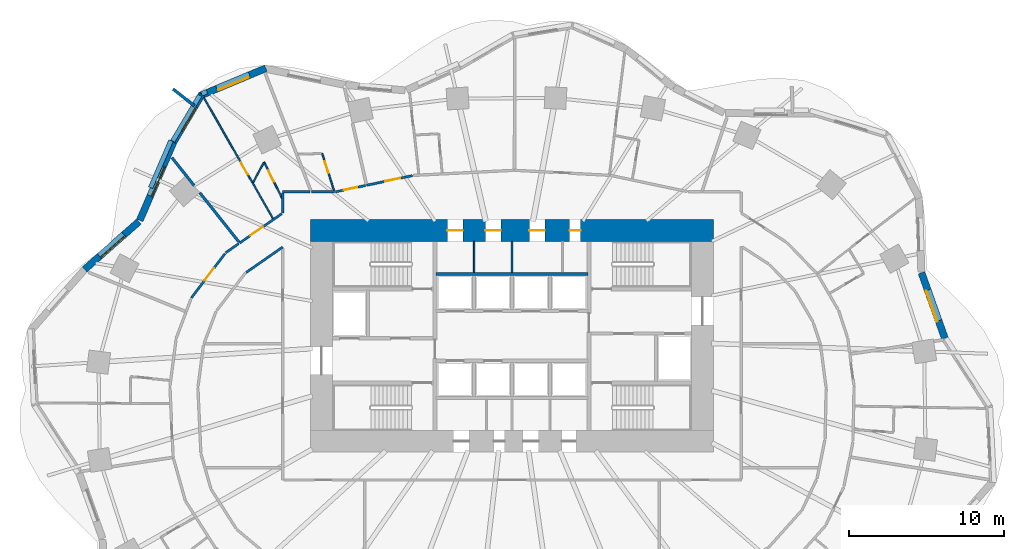
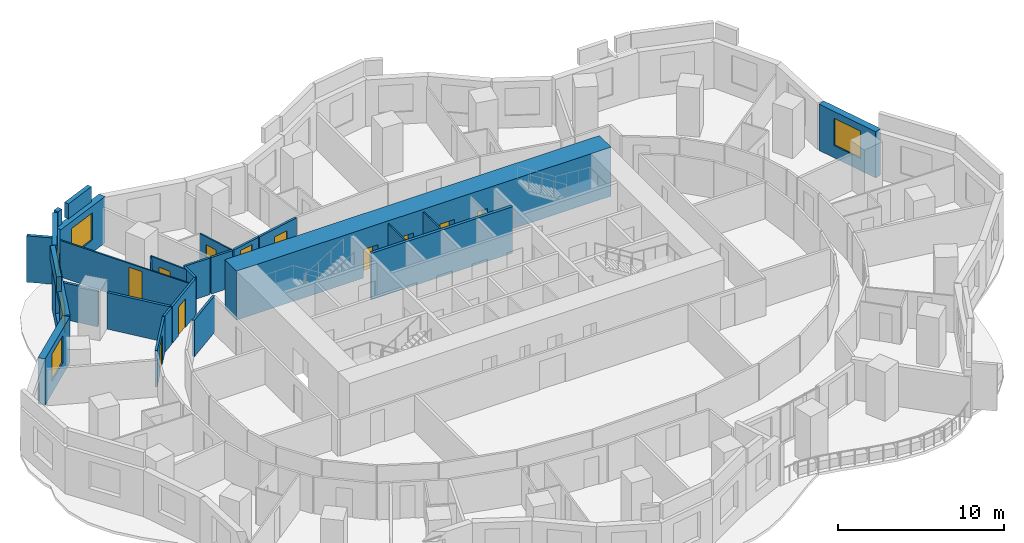
# One storey, part 9 of 14: 29 walls, 11 doors, 5 windows, 16 openings.
"""IFC4 building model written with IfcOpenShell, lengths in metres."""

from ifc_helpers import new_model, si_unit, direction, frame, frame_2d, origin, place, context, subcontext, project, spatial, rectangle, extrude, material, layer, layer_set, type_object, element, fill, save


model = new_model("IFC4")

# Units and contexts
model_context = context("Model", 3, precision=1e-05, world=origin(), true_north=direction((0.0, 1.0)))
body_context = subcontext(model_context, "Body", "Model", "MODEL_VIEW")
ifc_project = project(units=[si_unit("LENGTHUNIT", "METRE"), si_unit("AREAUNIT", "SQUARE_METRE"), si_unit("VOLUMEUNIT", "CUBIC_METRE"), si_unit("PLANEANGLEUNIT", "RADIAN"), si_unit("MASSUNIT", "GRAM", prefix="KILO")], contexts=[model_context])

# Site, building, storey
site_placement = place(None, origin())
site = spatial("IfcSite", under=ifc_project, at=site_placement, CompositionType="ELEMENT")
building_placement = place(site_placement, origin())
building = spatial("IfcBuilding", under=site, at=building_placement, Name="Rubra Terraces Tower", CompositionType="ELEMENT")
storey_placement = place(building_placement, frame((0.0, 0.0, 44.699951171875)))
storey = spatial("IfcBuildingStorey", under=building, at=storey_placement, Name="L08", CompositionType="ELEMENT", Elevation=44.699951171875)

# Walls
ifc_material_1 = material(Name="Twin plasterboard on staggered steel stud, acoustic mineral wool", Category="steel")
ifc_layer_1 = layer(ifc_material_1, 0.175048828125)
ifc_layer_set_1 = layer_set([ifc_layer_1], Name="Twin plasterboard on staggered steel stud, acoustic mineral wool")
wall_type_1 = type_object("IfcWallType", Name="ACOUSTIC PARTY WALL 175", PredefinedType="PARTITIONING", material=ifc_layer_set_1)
wall_1_placement = place(storey_placement, frame((-21.946044921875, 16.0068359375, 0.0), z_axis=(0.0, 0.0, 1.0), x_axis=(0.621870662711, -0.783119964539, 0.0)))
element("IfcWall", 1, at=wall_1_placement, inside=storey, type_object=wall_type_1, Name="PARTITION", PredefinedType="PARTITIONING", context=body_context, shape_type="SweptSolid", body=[
    extrude(rectangle(XDim=2.30126953125, YDim=0.175048828125, at=frame_2d((1.150634765625, 0.0))), origin(), (0.0, 0.0, 1.0), 2.679931640625),
])
wall_2_placement = place(storey_placement, frame((-20.145751953125, 13.739501953125, 0.0), z_axis=(0.0, 0.0, 1.0), x_axis=(0.621832273855, -0.783150447355, 0.0)))
element("IfcWall", 2, at=wall_2_placement, inside=storey, type_object=wall_type_1, Name="PARTITION", PredefinedType="PARTITIONING", context=body_context, shape_type="SweptSolid", body=[
    extrude(rectangle(XDim=4.06201171875, YDim=0.175048828125, at=frame_2d((2.031005859375, 0.0))), origin(), (0.0, 0.0, 1.0), 2.679931640625),
])

# Wall, opening, window
ifc_material_2 = material(Name="Brick masonry red-brown", Category="masonry")
ifc_layer_2 = layer(ifc_material_2, 0.449951171875)
ifc_layer_set_2 = layer_set([ifc_layer_2], Name="Brick masonry red-brown")
wall_type_2 = type_object("IfcWallType", Name="Brick facade wall 450", PredefinedType="SOLIDWALL", material=ifc_layer_set_2)
wall_3_placement = place(storey_placement, frame((27.9326171875, 4.35595703125, 0.0), z_axis=(0.0, 0.0, 1.0), x_axis=(-0.335746005454, 0.941952557097, 0.0)))
wall_3 = element("IfcWall", 3, at=wall_3_placement, inside=storey, type_object=wall_type_2, Name="Facade wall L08 bay 2", PredefinedType="SOLIDWALL", context=body_context, shape_type="SweptSolid", body=[
    extrude(rectangle(XDim=4.47998046875, YDim=0.449951171875, at=frame_2d((2.239990234375, 0.0))), origin(), (0.0, 0.0, 1.0), 3.400146484375),
])
opening_1_placement = place(wall_3_placement, frame((1.18994140625, 0.0, 0.89990234375)))
opening_1 = element("IfcOpeningElement", 4, at=opening_1_placement, cuts=wall_3, Name="Opening W1", PredefinedType="OPENING", context=body_context, shape_type="SweptSolid", body=[
    extrude(rectangle(XDim=2.10009765625, YDim=2.0, at=frame_2d((1.050048828125, 1.0))), frame((0.0, 0.23486328125, 0.0), z_axis=(0.0, -1.0, 0.0), x_axis=(1.0, 0.0, 0.0)), (0.0, 0.0, 1.0), 0.469970703125),
])
ifc_material_3 = material(Name="Clear glass in aluminium frame", Category="aluminium")
window_type_1 = type_object("IfcWindowType", Name="Fixed deep-set window 2100 x 2000", PartitioningType="SINGLE_PANEL", PredefinedType="WINDOW", material=ifc_material_3)
window_1_placement = place(opening_1_placement, origin())
window_1 = element("IfcWindow", 5, at=window_1_placement, inside=storey, type_object=window_type_1, Name="Window L08 bay 2", OverallHeight=2.0, OverallWidth=2.10009765625, PartitioningType="SINGLE_PANEL", PredefinedType="WINDOW", context=body_context, shape_type="SweptSolid", body=[
    extrude(rectangle(XDim=2.10009765625, YDim=2.0, at=frame_2d((1.050048828125, 1.0))), frame((0.0, 0.135009765625, 0.0), z_axis=(0.0, -1.0, 0.0), x_axis=(1.0, 0.0, 0.0)), (0.0, 0.0, 1.0), 0.06005859375),
])
fill(opening_1, window_1)

wall_4_placement = place(storey_placement, frame((-15.88623046875, 21.7763671875, 0.0), z_axis=(0.0, 0.0, 1.0), x_axis=(-0.922527247898, -0.385931958882, 0.0)))
wall_4 = element("IfcWall", 6, at=wall_4_placement, inside=storey, type_object=wall_type_2, Name="Facade wall L08 bay 15", PredefinedType="SOLIDWALL", context=body_context, shape_type="SweptSolid", body=[
    extrude(rectangle(XDim=4.593994140625, YDim=0.449951171875, at=frame_2d((2.296875, 0.0))), origin(), (0.0, 0.0, 1.0), 3.400146484375),
])
opening_2_placement = place(wall_4_placement, frame((1.2470703125, 0.0, 0.89990234375)))
opening_2 = element("IfcOpeningElement", 7, at=opening_2_placement, cuts=wall_4, Name="Opening W1", PredefinedType="OPENING", context=body_context, shape_type="SweptSolid", body=[
    extrude(rectangle(XDim=2.10009765625, YDim=2.0, at=frame_2d((1.050048828125, 1.0))), frame((0.0, 0.23486328125, 0.0), z_axis=(0.0, -1.0, 0.0), x_axis=(1.0, 0.0, 0.0)), (0.0, 0.0, 1.0), 0.469970703125),
])
window_2_placement = place(opening_2_placement, origin())
window_2 = element("IfcWindow", 8, at=window_2_placement, inside=storey, type_object=window_type_1, Name="Window L08 bay 15", OverallHeight=2.0, OverallWidth=2.10009765625, PartitioningType="SINGLE_PANEL", PredefinedType="WINDOW", context=body_context, shape_type="SweptSolid", body=[
    extrude(rectangle(XDim=2.10009765625, YDim=2.0, at=frame_2d((1.050048828125, 1.0))), frame((0.0, 0.135009765625, 0.0), z_axis=(0.0, -1.0, 0.0), x_axis=(1.0, 0.0, 0.0)), (0.0, 0.0, 1.0), 0.06005859375),
])
fill(opening_2, window_2)

wall_5_placement = place(storey_placement, frame((-20.017333984375, 20.09619140625, 0.0), z_axis=(0.0, 0.0, 1.0), x_axis=(-0.509718522454, -0.860341227576, 0.0)))
wall_5 = element("IfcWall", 9, at=wall_5_placement, inside=storey, type_object=wall_type_2, Name="Facade wall L08 bay 16", PredefinedType="SOLIDWALL", context=body_context, shape_type="SweptSolid", body=[
    extrude(rectangle(XDim=3.5908203125, YDim=0.449951171875, at=frame_2d((1.79541015625, 0.0))), origin(), (0.0, 0.0, 1.0), 3.400146484375),
])
opening_3_placement = place(wall_5_placement, frame((0.8955078125, 0.0, 0.89990234375)))
opening_3 = element("IfcOpeningElement", 10, at=opening_3_placement, cuts=wall_5, Name="Opening W6", PredefinedType="OPENING", context=body_context, shape_type="SweptSolid", body=[
    extrude(rectangle(XDim=1.800048828125, YDim=2.0, at=frame_2d((0.89990234375, 1.0))), frame((0.0, 0.23486328125, 0.0), z_axis=(0.0, -1.0, 0.0), x_axis=(1.0, 0.0, 0.0)), (0.0, 0.0, 1.0), 0.469970703125),
])
window_type_2 = type_object("IfcWindowType", Name="Fixed deep-set window at wind fin 1800 x 2000", PartitioningType="SINGLE_PANEL", PredefinedType="WINDOW", material=ifc_material_3)
window_3_placement = place(opening_3_placement, origin())
window_3 = element("IfcWindow", 11, at=window_3_placement, inside=storey, type_object=window_type_2, Name="Window L08 bay 16", OverallHeight=2.0, OverallWidth=1.800048828125, PartitioningType="SINGLE_PANEL", PredefinedType="WINDOW", context=body_context, shape_type="SweptSolid", body=[
    extrude(rectangle(XDim=1.800048828125, YDim=2.0, at=frame_2d((0.89990234375, 1.0))), frame((0.0, 0.135009765625, 0.0), z_axis=(0.0, -1.0, 0.0), x_axis=(1.0, 0.0, 0.0)), (0.0, 0.0, 1.0), 0.06005859375),
])
fill(opening_3, window_3)

wall_6_placement = place(storey_placement, frame((-21.834716796875, 17.032470703125, 0.0), z_axis=(0.0, 0.0, 1.0), x_axis=(-0.396103523022, -0.918205858753, 0.0)))
wall_6 = element("IfcWall", 12, at=wall_6_placement, inside=storey, type_object=wall_type_2, Name="Facade wall L08 bay 17", PredefinedType="SOLIDWALL", context=body_context, shape_type="SweptSolid", body=[
    extrude(rectangle(XDim=5.528076171875, YDim=0.449951171875, at=frame_2d((2.76416015625, 0.0))), origin(), (0.0, 0.0, 1.0), 3.400146484375),
])
opening_4_placement = place(wall_6_placement, frame((1.714111328125, 0.0, 0.89990234375)))
opening_4 = element("IfcOpeningElement", 13, at=opening_4_placement, cuts=wall_6, Name="Opening W1", PredefinedType="OPENING", context=body_context, shape_type="SweptSolid", body=[
    extrude(rectangle(XDim=2.10009765625, YDim=2.0, at=frame_2d((1.050048828125, 1.0))), frame((0.0, 0.23486328125, 0.0), z_axis=(0.0, -1.0, 0.0), x_axis=(1.0, 0.0, 0.0)), (0.0, 0.0, 1.0), 0.469970703125),
])
window_4_placement = place(opening_4_placement, origin())
window_4 = element("IfcWindow", 14, at=window_4_placement, inside=storey, type_object=window_type_1, Name="Window L08 bay 17", OverallHeight=2.0, OverallWidth=2.10009765625, PartitioningType="SINGLE_PANEL", PredefinedType="WINDOW", context=body_context, shape_type="SweptSolid", body=[
    extrude(rectangle(XDim=2.10009765625, YDim=2.0, at=frame_2d((1.050048828125, 1.0))), frame((0.0, 0.135009765625, 0.0), z_axis=(0.0, -1.0, 0.0), x_axis=(1.0, 0.0, 0.0)), (0.0, 0.0, 1.0), 0.06005859375),
])
fill(opening_4, window_4)

wall_7_placement = place(storey_placement, frame((-24.078369140625, 11.88037109375, 0.0), z_axis=(0.0, 0.0, 1.0), x_axis=(-0.749778352475, -0.661689067583, 0.0)))
wall_7 = element("IfcWall", 15, at=wall_7_placement, inside=storey, type_object=wall_type_2, Name="Facade wall L08 bay 18", PredefinedType="SOLIDWALL", context=body_context, shape_type="SweptSolid", body=[
    extrude(rectangle(XDim=4.669921875, YDim=0.449951171875, at=frame_2d((2.3349609375, 0.0))), origin(), (0.0, 0.0, 1.0), 3.400146484375),
])
opening_5_placement = place(wall_7_placement, frame((1.284912109375, 0.0, 0.89990234375)))
opening_5 = element("IfcOpeningElement", 16, at=opening_5_placement, cuts=wall_7, Name="Opening W1", PredefinedType="OPENING", context=body_context, shape_type="SweptSolid", body=[
    extrude(rectangle(XDim=2.10009765625, YDim=2.0, at=frame_2d((1.050048828125, 1.0))), frame((0.0, 0.23486328125, 0.0), z_axis=(0.0, -1.0, 0.0), x_axis=(1.0, 0.0, 0.0)), (0.0, 0.0, 1.0), 0.469970703125),
])
window_5_placement = place(opening_5_placement, origin())
window_5 = element("IfcWindow", 17, at=window_5_placement, inside=storey, type_object=window_type_1, Name="Window L08 bay 18", OverallHeight=2.0, OverallWidth=2.10009765625, PartitioningType="SINGLE_PANEL", PredefinedType="WINDOW", context=body_context, shape_type="SweptSolid", body=[
    extrude(rectangle(XDim=2.10009765625, YDim=2.0, at=frame_2d((1.050048828125, 1.0))), frame((0.0, 0.135009765625, 0.0), z_axis=(0.0, -1.0, 0.0), x_axis=(1.0, 0.0, 0.0)), (0.0, 0.0, 1.0), 0.06005859375),
])
fill(opening_5, window_5)

# Walls
ifc_layer_3 = layer(ifc_material_2, 0.300048828125)
ifc_layer_set_3 = layer_set([ifc_layer_3], Name="Brick masonry red-brown")
wall_type_3 = type_object("IfcWallType", Name="Brick parapet 300", PredefinedType="PARAPET", material=ifc_layer_set_3)
wall_8_placement = place(storey_placement, frame((-16.96240234375, 21.407470703125, 3.60009765625), z_axis=(0.0, 0.0, 1.0), x_axis=(-0.922533659014, -0.385916633467, 0.0)))
element("IfcWall", 18, at=wall_8_placement, inside=storey, type_object=wall_type_3, Name="Parapet L08 bay 15", PredefinedType="PARAPET", context=body_context, shape_type="SweptSolid", body=[
    extrude(rectangle(XDim=2.290771484375, YDim=0.300048828125, at=frame_2d((1.1455078125, 0.0))), origin(), (0.0, 0.0, 1.0), 1.099853515625),
])
wall_9_placement = place(storey_placement, frame((-19.6884765625, 20.26708984375, 3.60009765625), z_axis=(0.0, 0.0, 1.0), x_axis=(-0.922419372029, -0.386189722943, 0.0)))
element("IfcWall", 19, at=wall_9_placement, inside=storey, type_object=wall_type_3, Name="Parapet L08 bay 15.2", PredefinedType="PARAPET", context=body_context, shape_type="SweptSolid", body=[
    extrude(rectangle(XDim=0.374267578125, YDim=0.300048828125, at=frame_2d((0.18701171875, 0.0))), origin(), (0.0, 0.0, 1.0), 1.099853515625),
])
wall_10_placement = place(storey_placement, frame((-20.14794921875, 20.023193359375, 3.60009765625), z_axis=(0.0, 0.0, 1.0), x_axis=(-0.509657876052, -0.860377155309, 0.0)))
element("IfcWall", 20, at=wall_10_placement, inside=storey, type_object=wall_type_3, Name="Parapet L08 bay 16", PredefinedType="PARAPET", context=body_context, shape_type="SweptSolid", body=[
    extrude(rectangle(XDim=3.427001953125, YDim=0.300048828125, at=frame_2d((1.71337890625, 0.0))), origin(), (0.0, 0.0, 1.0), 1.099853515625),
])
wall_11_placement = place(storey_placement, frame((-22.008544921875, 17.107421875, 3.60009765625), z_axis=(0.0, 0.0, 1.0), x_axis=(-0.396142292889, -0.918189132905, 0.0)))
element("IfcWall", 21, at=wall_11_placement, inside=storey, type_object=wall_type_3, Name="Parapet L08 bay 17", PredefinedType="PARAPET", context=body_context, shape_type="SweptSolid", body=[
    extrude(rectangle(XDim=3.31201171875, YDim=0.300048828125, at=frame_2d((1.656005859375, 0.0))), origin(), (0.0, 0.0, 1.0), 1.099853515625),
])
ifc_layer_4 = layer(ifc_material_2, 0.199951171875)
ifc_layer_set_4 = layer_set([ifc_layer_4], Name="Brick masonry red-brown")
wall_type_4 = type_object("IfcWallType", Name="Brick wind fin 200", PredefinedType="SOLIDWALL", material=ifc_layer_set_4)
wall_12_placement = place(storey_placement, frame((-20.5, 19.35498046875, 0.0), z_axis=(0.0, 0.0, 1.0), x_axis=(-0.786700632228, 0.617334686577, 0.0)))
element("IfcWall", 22, at=wall_12_placement, inside=storey, type_object=wall_type_4, Name="Wind fin L08 10", PredefinedType="SOLIDWALL", context=body_context, shape_type="SweptSolid", body=[
    extrude(rectangle(XDim=1.75, YDim=0.199951171875, at=frame_2d((0.875, 0.0))), origin(), (0.0, 0.0, 1.0), 3.400146484375),
])

# Wall, openings, doors
ifc_material_4 = material(Name="Concrete C70", Category="concrete")
ifc_layer_5 = layer(ifc_material_4, 1.39990234375)
ifc_layer_set_5 = layer_set([ifc_layer_5], Name="Concrete C70")
wall_type_5 = type_object("IfcWallType", Name="CORE WALL 1400 C70", PredefinedType="SHEAR", material=ifc_layer_set_5)
wall_13_placement = place(storey_placement, frame((-13.0, 11.300048828125, 0.0), z_axis=(0.0, 0.0, 1.0), x_axis=(1.0, 0.0, 0.0)))
wall_13 = element("IfcWall", 23, at=wall_13_placement, inside=storey, type_object=wall_type_5, Name="CORE WALL N L08", PredefinedType="SHEAR", context=body_context, shape_type="SweptSolid", body=[
    extrude(rectangle(XDim=26.0, YDim=1.39990234375, at=frame_2d((13.0, 0.0))), origin(), (0.0, 0.0, 1.0), 3.60009765625),
])
opening_6_placement = place(wall_13_placement, frame((8.824951171875, 0.0, 0.0)))
opening_6 = element("IfcOpeningElement", 24, at=opening_6_placement, cuts=wall_13, Name="Opening L08.C23", PredefinedType="OPENING", context=body_context, shape_type="SweptSolid", body=[
    extrude(rectangle(XDim=1.0, YDim=2.10009765625, at=frame_2d((0.5, 1.050048828125))), frame((0.0, 0.7099609375, 0.0), z_axis=(0.0, -1.0, 0.0), x_axis=(1.0, 0.0, 0.0)), (0.0, 0.0, 1.0), 1.419921875),
])
opening_7_placement = place(wall_13_placement, frame((11.27490234375, 0.0, 0.0)))
opening_7 = element("IfcOpeningElement", 25, at=opening_7_placement, cuts=wall_13, Name="Opening L08.C24", PredefinedType="OPENING", context=body_context, shape_type="SweptSolid", body=[
    extrude(rectangle(XDim=1.0, YDim=2.10009765625, at=frame_2d((0.5, 1.050048828125))), frame((0.0, 0.7099609375, 0.0), z_axis=(0.0, -1.0, 0.0), x_axis=(1.0, 0.0, 0.0)), (0.0, 0.0, 1.0), 1.419921875),
])
opening_8_placement = place(wall_13_placement, frame((14.125, 0.0, 0.0)))
opening_8 = element("IfcOpeningElement", 26, at=opening_8_placement, cuts=wall_13, Name="Opening L08.C25", PredefinedType="OPENING", context=body_context, shape_type="SweptSolid", body=[
    extrude(rectangle(XDim=1.0, YDim=2.10009765625, at=frame_2d((0.5, 1.050048828125))), frame((0.0, 0.7099609375, 0.0), z_axis=(0.0, -1.0, 0.0), x_axis=(1.0, 0.0, 0.0)), (0.0, 0.0, 1.0), 1.419921875),
])
opening_9_placement = place(wall_13_placement, frame((16.72509765625, 0.0, 0.0)))
opening_9 = element("IfcOpeningElement", 27, at=opening_9_placement, cuts=wall_13, Name="Opening L08.C26", PredefinedType="OPENING", context=body_context, shape_type="SweptSolid", body=[
    extrude(rectangle(XDim=0.699951171875, YDim=2.10009765625, at=frame_2d((0.35009765625, 1.050048828125))), frame((0.0, 0.7099609375, 0.0), z_axis=(0.0, -1.0, 0.0), x_axis=(1.0, 0.0, 0.0)), (0.0, 0.0, 1.0), 1.419921875),
])
ifc_material_5 = material(Name="Painted steel", Category="steel")
door_type_1 = type_object("IfcDoorType", Name="Fire door 1000x2100 single", OperationType="NOTDEFINED", PredefinedType="DOOR", material=ifc_material_5)
door_1_placement = place(opening_6_placement, origin())
door_1 = element("IfcDoor", 28, at=door_1_placement, inside=storey, type_object=door_type_1, Name="Accessible WC door", OperationType="SINGLE_SWING_LEFT", OverallHeight=2.10009765625, OverallWidth=1.0, PredefinedType="DOOR", context=body_context, shape_type="SweptSolid", body=[
    extrude(rectangle(XDim=1.0, YDim=2.10009765625, at=frame_2d((0.5, 1.050048828125))), frame((0.0, 0.02490234375, 0.0), z_axis=(0.0, -1.0, 0.0), x_axis=(1.0, 0.0, 0.0)), (0.0, 0.0, 1.0), 0.050048828125),
])
fill(opening_6, door_1)
door_2_placement = place(opening_7_placement, origin())
door_2 = element("IfcDoor", 29, at=door_2_placement, inside=storey, type_object=door_type_1, Name="Linen store door", OperationType="SINGLE_SWING_RIGHT", OverallHeight=2.10009765625, OverallWidth=1.0, PredefinedType="DOOR", context=body_context, shape_type="SweptSolid", body=[
    extrude(rectangle(XDim=1.0, YDim=2.10009765625, at=frame_2d((0.5, 1.050048828125))), frame((0.0, 0.02490234375, 0.0), z_axis=(0.0, -1.0, 0.0), x_axis=(1.0, 0.0, 0.0)), (0.0, 0.0, 1.0), 0.050048828125),
])
fill(opening_7, door_2)
door_3_placement = place(opening_8_placement, origin())
door_3 = element("IfcDoor", 30, at=door_3_placement, inside=storey, type_object=door_type_1, Name="Guest pantry door", OperationType="SINGLE_SWING_LEFT", OverallHeight=2.10009765625, OverallWidth=1.0, PredefinedType="DOOR", context=body_context, shape_type="SweptSolid", body=[
    extrude(rectangle(XDim=1.0, YDim=2.10009765625, at=frame_2d((0.5, 1.050048828125))), frame((0.0, 0.02490234375, 0.0), z_axis=(0.0, -1.0, 0.0), x_axis=(1.0, 0.0, 0.0)), (0.0, 0.0, 1.0), 0.050048828125),
])
fill(opening_8, door_3)
door_type_2 = type_object("IfcDoorType", Name="Riser access door 700x2100 single", OperationType="NOTDEFINED", PredefinedType="DOOR", material=ifc_material_5)
door_4_placement = place(opening_9_placement, origin())
door_4 = element("IfcDoor", 31, at=door_4_placement, inside=storey, type_object=door_type_2, Name="Telecoms room door", OperationType="SINGLE_SWING_RIGHT", OverallHeight=2.10009765625, OverallWidth=0.699951171875, PredefinedType="DOOR", context=body_context, shape_type="SweptSolid", body=[
    extrude(rectangle(XDim=0.699951171875, YDim=2.10009765625, at=frame_2d((0.35009765625, 1.050048828125))), frame((0.0, 0.02490234375, 0.0), z_axis=(0.0, -1.0, 0.0), x_axis=(1.0, 0.0, 0.0)), (0.0, 0.0, 1.0), 0.050048828125),
])
fill(opening_9, door_4)

# Wall, opening, door
ifc_material_6 = material(Name="Plasterboard on steel stud, mineral wool infill", Category="steel")
ifc_layer_6 = layer(ifc_material_6, 0.14990234375)
ifc_layer_set_6 = layer_set([ifc_layer_6], Name="Plasterboard on steel stud, mineral wool infill")
wall_type_6 = type_object("IfcWallType", Name="CORRIDOR PARTITION 150", PredefinedType="PARTITIONING", material=ifc_layer_set_6)
wall_14_placement = place(storey_placement, frame((-6.4296875, 14.84619140625, 0.0), z_axis=(0.0, 0.0, 1.0), x_axis=(-0.978469112666, -0.206393303085, 0.0)))
wall_14 = element("IfcWall", 32, at=wall_14_placement, inside=storey, type_object=wall_type_6, Name="PARTITION", PredefinedType="PARTITIONING", context=body_context, shape_type="SweptSolid", body=[
    extrude(rectangle(XDim=3.02099609375, YDim=0.14990234375, at=frame_2d((1.510498046875, 0.0))), origin(), (0.0, 0.0, 1.0), 2.679931640625),
])
opening_10_placement = place(wall_14_placement, frame((0.797119140625, 0.0, 0.0)))
opening_10 = element("IfcOpeningElement", 33, at=opening_10_placement, cuts=wall_14, Name="Opening 08-106", PredefinedType="OPENING", context=body_context, shape_type="SweptSolid", body=[
    extrude(rectangle(XDim=1.0, YDim=2.10009765625, at=frame_2d((0.5, 1.050048828125))), frame((0.0, 0.0849609375, 0.0), z_axis=(0.0, -1.0, 0.0), x_axis=(1.0, 0.0, 0.0)), (0.0, 0.0, 1.0), 0.169921875),
])
ifc_material_7 = material(Name="Painted timber door leaf", Category="wood")
door_type_3 = type_object("IfcDoorType", Name="ROOM DOOR 1000 X 2100", OperationType="SINGLE_SWING_LEFT", PredefinedType="DOOR", material=ifc_material_7)
door_5_placement = place(opening_10_placement, origin())
door_5 = element("IfcDoor", 34, at=door_5_placement, inside=storey, type_object=door_type_3, Name="DOOR 08-106", OperationType="SINGLE_SWING_RIGHT", OverallHeight=2.10009765625, OverallWidth=1.0, PredefinedType="DOOR", context=body_context, shape_type="SweptSolid", body=[
    extrude(rectangle(XDim=1.0, YDim=2.10009765625, at=frame_2d((0.5, 1.050048828125))), frame((0.0, 0.02490234375, 0.0), z_axis=(0.0, -1.0, 0.0), x_axis=(1.0, 0.0, 0.0)), (0.0, 0.0, 1.0), 0.050048828125),
])
fill(opening_10, door_5)

wall_15_placement = place(storey_placement, frame((-9.459228515625, 14.207275390625, 0.0), z_axis=(0.0, 0.0, 1.0), x_axis=(-0.978460400771, -0.206434600112, 0.0)))
wall_15 = element("IfcWall", 35, at=wall_15_placement, inside=storey, type_object=wall_type_6, Name="PARTITION", PredefinedType="PARTITIONING", context=body_context, shape_type="SweptSolid", body=[
    extrude(rectangle(XDim=1.97265625, YDim=0.14990234375, at=frame_2d((0.986328125, 0.0))), origin(), (0.0, 0.0, 1.0), 2.679931640625),
])
opening_11_placement = place(wall_15_placement, frame((0.531982421875, 0.0, 0.0)))
opening_11 = element("IfcOpeningElement", 36, at=opening_11_placement, cuts=wall_15, Name="Opening 08-108", PredefinedType="OPENING", context=body_context, shape_type="SweptSolid", body=[
    extrude(rectangle(XDim=0.89990234375, YDim=2.39990234375, at=frame_2d((0.449951171875, 1.199951171875))), frame((0.0, 0.0849609375, 0.0), z_axis=(0.0, -1.0, 0.0), x_axis=(1.0, 0.0, 0.0)), (0.0, 0.0, 1.0), 0.169921875),
])
ifc_material_8 = material(Name="Veneered timber door leaf, fire-rated", Category="wood")
door_type_4 = type_object("IfcDoorType", Name="SUITE ENTRANCE DOOR 900 X 2400", OperationType="SINGLE_SWING_LEFT", PredefinedType="DOOR", material=ifc_material_8)
door_6_placement = place(opening_11_placement, origin())
door_6 = element("IfcDoor", 37, at=door_6_placement, inside=storey, type_object=door_type_4, Name="DOOR 08-108", OperationType="SINGLE_SWING_RIGHT", OverallHeight=2.39990234375, OverallWidth=0.89990234375, PredefinedType="DOOR", context=body_context, shape_type="SweptSolid", body=[
    extrude(rectangle(XDim=0.89990234375, YDim=2.39990234375, at=frame_2d((0.449951171875, 1.199951171875))), frame((0.0, 0.02490234375, 0.0), z_axis=(0.0, -1.0, 0.0), x_axis=(1.0, 0.0, 0.0)), (0.0, 0.0, 1.0), 0.050048828125),
])
fill(opening_11, door_6)

# Walls
wall_16_placement = place(storey_placement, frame((-11.46435546875, 13.800048828125, 0.0), z_axis=(0.0, 0.0, 1.0), x_axis=(-1.0, 0.0, 0.0)))
element("IfcWall", 38, at=wall_16_placement, inside=storey, type_object=wall_type_6, Name="PARTITION", PredefinedType="PARTITIONING", context=body_context, shape_type="SweptSolid", body=[
    extrude(rectangle(XDim=1.490966796875, YDim=0.14990234375, at=frame_2d((0.74560546875, 0.0))), origin(), (0.0, 0.0, 1.0), 2.679931640625),
])
wall_17_placement = place(storey_placement, frame((-13.0302734375, 13.800048828125, 0.0), z_axis=(0.0, 0.0, 1.0), x_axis=(-1.0, 0.0, 0.0)))
element("IfcWall", 39, at=wall_17_placement, inside=storey, type_object=wall_type_6, Name="PARTITION", PredefinedType="PARTITIONING", context=body_context, shape_type="SweptSolid", body=[
    extrude(rectangle(XDim=1.769775390625, YDim=0.14990234375, at=frame_2d((0.884765625, 0.0))), origin(), (0.0, 0.0, 1.0), 2.679931640625),
])
wall_18_placement = place(storey_placement, frame((-14.800048828125, 13.72509765625, 0.0), z_axis=(0.0, 0.0, 1.0), x_axis=(-0.000188040613, -0.99999998232, 0.0)))
element("IfcWall", 40, at=wall_18_placement, inside=storey, type_object=wall_type_6, Name="PARTITION", PredefinedType="PARTITIONING", context=body_context, shape_type="SweptSolid", body=[
    extrude(rectangle(XDim=1.29833984375, YDim=0.14990234375, at=frame_2d((0.649169921875, 0.0))), origin(), (0.0, 0.0, 1.0), 2.679931640625),
])

# Wall, opening, door
wall_19_placement = place(storey_placement, frame((-14.86181640625, 12.384033203125, 0.0), z_axis=(0.0, 0.0, 1.0), x_axis=(-0.821144742038, -0.570719994939, 0.0)))
wall_19 = element("IfcWall", 41, at=wall_19_placement, inside=storey, type_object=wall_type_6, Name="PARTITION", PredefinedType="PARTITIONING", context=body_context, shape_type="SweptSolid", body=[
    extrude(rectangle(XDim=3.302001953125, YDim=0.14990234375, at=frame_2d((1.65087890625, 0.0))), origin(), (0.0, 0.0, 1.0), 2.679931640625),
])
opening_12_placement = place(wall_19_placement, frame((1.47412109375, 0.0, 0.0)))
opening_12 = element("IfcOpeningElement", 42, at=opening_12_placement, cuts=wall_19, Name="Opening 08-111", PredefinedType="OPENING", context=body_context, shape_type="SweptSolid", body=[
    extrude(rectangle(XDim=1.0, YDim=2.10009765625, at=frame_2d((0.5, 1.050048828125))), frame((0.0, 0.0849609375, 0.0), z_axis=(0.0, -1.0, 0.0), x_axis=(1.0, 0.0, 0.0)), (0.0, 0.0, 1.0), 0.169921875),
])
door_7_placement = place(opening_12_placement, origin())
door_7 = element("IfcDoor", 43, at=door_7_placement, inside=storey, type_object=door_type_3, Name="DOOR 08-111", OperationType="SINGLE_SWING_RIGHT", OverallHeight=2.10009765625, OverallWidth=1.0, PredefinedType="DOOR", context=body_context, shape_type="SweptSolid", body=[
    extrude(rectangle(XDim=1.0, YDim=2.10009765625, at=frame_2d((0.5, 1.050048828125))), frame((0.0, 0.02490234375, 0.0), z_axis=(0.0, -1.0, 0.0), x_axis=(1.0, 0.0, 0.0)), (0.0, 0.0, 1.0), 0.050048828125),
])
fill(opening_12, door_7)

# Wall
wall_20_placement = place(storey_placement, frame((-17.634765625, 10.456787109375, 0.0), z_axis=(0.0, 0.0, 1.0), x_axis=(-0.821171783561, -0.570681085969, 0.0)))
element("IfcWall", 44, at=wall_20_placement, inside=storey, type_object=wall_type_6, Name="PARTITION", PredefinedType="PARTITIONING", context=body_context, shape_type="SweptSolid", body=[
    extrude(rectangle(XDim=1.0263671875, YDim=0.14990234375, at=frame_2d((0.51318359375, 0.0))), origin(), (0.0, 0.0, 1.0), 2.679931640625),
])

# Wall, opening, door
wall_21_placement = place(storey_placement, frame((-18.52294921875, 9.811279296875, 0.0), z_axis=(0.0, 0.0, 1.0), x_axis=(-0.605040130963, -0.796194976073, 0.0)))
wall_21 = element("IfcWall", 45, at=wall_21_placement, inside=storey, type_object=wall_type_6, Name="PARTITION", PredefinedType="PARTITIONING", context=body_context, shape_type="SweptSolid", body=[
    extrude(rectangle(XDim=3.587646484375, YDim=0.14990234375, at=frame_2d((1.7939453125, 0.0))), origin(), (0.0, 0.0, 1.0), 2.679931640625),
])
opening_13_placement = place(wall_21_placement, frame((1.18310546875, 0.0, 0.0)))
opening_13 = element("IfcOpeningElement", 46, at=opening_13_placement, cuts=wall_21, Name="Opening 08-112", PredefinedType="OPENING", context=body_context, shape_type="SweptSolid", body=[
    extrude(rectangle(XDim=1.0, YDim=2.10009765625, at=frame_2d((0.5, 1.050048828125))), frame((0.0, 0.0849609375, 0.0), z_axis=(0.0, -1.0, 0.0), x_axis=(1.0, 0.0, 0.0)), (0.0, 0.0, 1.0), 0.169921875),
])
door_8_placement = place(opening_13_placement, origin())
door_8 = element("IfcDoor", 47, at=door_8_placement, inside=storey, type_object=door_type_3, Name="DOOR 08-112", OperationType="SINGLE_SWING_RIGHT", OverallHeight=2.10009765625, OverallWidth=1.0, PredefinedType="DOOR", context=body_context, shape_type="SweptSolid", body=[
    extrude(rectangle(XDim=1.0, YDim=2.10009765625, at=frame_2d((0.5, 1.050048828125))), frame((0.0, 0.02490234375, 0.0), z_axis=(0.0, -1.0, 0.0), x_axis=(1.0, 0.0, 0.0)), (0.0, 0.0, 1.0), 0.050048828125),
])
fill(opening_13, door_8)

# Walls
wall_22_placement = place(storey_placement, frame((-17.15478515625, 8.59814453125, 0.0), z_axis=(0.0, 0.0, 1.0), x_axis=(0.821087350938, 0.570802559673, 0.0)))
element("IfcWall", 48, at=wall_22_placement, inside=storey, type_object=wall_type_6, Name="PARTITION", PredefinedType="PARTITIONING", context=body_context, shape_type="SweptSolid", body=[
    extrude(rectangle(XDim=2.867919921875, YDim=0.14990234375, at=frame_2d((1.43408203125, 0.0))), origin(), (0.0, 0.0, 1.0), 2.679931640625),
])
ifc_material_9 = material(Name="Concrete C30", Category="concrete")
ifc_layer_7 = layer(ifc_material_9, 0.199951171875)
ifc_layer_set_7 = layer_set([ifc_layer_7], Name="Concrete C30")
wall_type_7 = type_object("IfcWallType", Name="Core wall 200 concrete", PredefinedType="SOLIDWALL", material=ifc_layer_set_7)
wall_23_placement = place(storey_placement, frame((-4.89990234375, 8.5, 0.0), z_axis=(0.0, 0.0, 1.0), x_axis=(1.0, 0.0, 0.0)))
element("IfcWall", 49, at=wall_23_placement, inside=storey, type_object=wall_type_7, Name="LIFT SHAFT WALL L08", PredefinedType="SOLIDWALL", context=body_context, shape_type="SweptSolid", body=[
    extrude(rectangle(XDim=9.7998046875, YDim=0.199951171875, at=frame_2d((4.89990234375, 0.0))), origin(), (0.0, 0.0, 1.0), 3.400146484375),
])

# Wall, opening, door
ifc_material_10 = material(Name="Plasterboard on steel stud", Category="steel")
ifc_layer_8 = layer(ifc_material_10, 0.10009765625)
ifc_layer_set_8 = layer_set([ifc_layer_8], Name="Plasterboard on steel stud")
wall_type_8 = type_object("IfcWallType", Name="ROOM PARTITION 100", PredefinedType="PARTITIONING", material=ifc_layer_set_8)
wall_24_placement = place(storey_placement, frame((-11.47802734375, 13.871337890625, 0.0), z_axis=(0.0, 0.0, 1.0), x_axis=(-0.304252990033, 0.952591264948, 0.0)))
wall_24 = element("IfcWall", 50, at=wall_24_placement, inside=storey, type_object=wall_type_8, Name="PARTITION", PredefinedType="PARTITIONING", context=body_context, shape_type="SweptSolid", body=[
    extrude(rectangle(XDim=2.525146484375, YDim=0.10009765625, at=frame_2d((1.2626953125, 0.0))), origin(), (0.0, 0.0, 1.0), 2.679931640625),
])
opening_14_placement = place(wall_24_placement, frame((1.199951171875, 0.0, 0.0)))
opening_14 = element("IfcOpeningElement", 51, at=opening_14_placement, cuts=wall_24, Name="Opening 08-107", PredefinedType="OPENING", context=body_context, shape_type="SweptSolid", body=[
    extrude(rectangle(XDim=0.800048828125, YDim=2.10009765625, at=frame_2d((0.39990234375, 1.050048828125))), frame((0.0, 0.06005859375, 0.0), z_axis=(0.0, -1.0, 0.0), x_axis=(1.0, 0.0, 0.0)), (0.0, 0.0, 1.0), 0.1201171875),
])
door_type_5 = type_object("IfcDoorType", Name="BATHROOM DOOR 800 X 2100", OperationType="SINGLE_SWING_LEFT", PredefinedType="DOOR", material=ifc_material_7)
door_9_placement = place(opening_14_placement, origin())
door_9 = element("IfcDoor", 52, at=door_9_placement, inside=storey, type_object=door_type_5, Name="DOOR 08-107", OperationType="SINGLE_SWING_LEFT", OverallHeight=2.10009765625, OverallWidth=0.800048828125, PredefinedType="DOOR", context=body_context, shape_type="SweptSolid", body=[
    extrude(rectangle(XDim=0.800048828125, YDim=2.10009765625, at=frame_2d((0.39990234375, 1.050048828125))), frame((0.0, 0.02490234375, 0.0), z_axis=(0.0, -1.0, 0.0), x_axis=(1.0, 0.0, 0.0)), (0.0, 0.0, 1.0), 0.050048828125),
])
fill(opening_14, door_9)

wall_25_placement = place(storey_placement, frame((-19.877197265625, 19.858642578125, 0.0), z_axis=(0.0, 0.0, 1.0), x_axis=(0.496435286224, -0.868073733384, 0.0)))
wall_25 = element("IfcWall", 53, at=wall_25_placement, inside=storey, type_object=wall_type_8, Name="PARTITION", PredefinedType="PARTITIONING", context=body_context, shape_type="SweptSolid", body=[
    extrude(rectangle(XDim=8.9599609375, YDim=0.10009765625, at=frame_2d((4.47998046875, 0.0))), origin(), (0.0, 0.0, 1.0), 2.679931640625),
])
opening_15_placement = place(wall_25_placement, frame((4.800048828125, 0.0, 0.0)))
opening_15 = element("IfcOpeningElement", 54, at=opening_15_placement, cuts=wall_25, Name="Opening 08-110", PredefinedType="OPENING", context=body_context, shape_type="SweptSolid", body=[
    extrude(rectangle(XDim=0.89990234375, YDim=2.39990234375, at=frame_2d((0.449951171875, 1.199951171875))), frame((0.0, 0.06005859375, 0.0), z_axis=(0.0, -1.0, 0.0), x_axis=(1.0, 0.0, 0.0)), (0.0, 0.0, 1.0), 0.1201171875),
])
door_10_placement = place(opening_15_placement, origin())
door_10 = element("IfcDoor", 55, at=door_10_placement, inside=storey, type_object=door_type_4, Name="DOOR 08-110", OperationType="SINGLE_SWING_LEFT", OverallHeight=2.39990234375, OverallWidth=0.89990234375, PredefinedType="DOOR", context=body_context, shape_type="SweptSolid", body=[
    extrude(rectangle(XDim=0.89990234375, YDim=2.39990234375, at=frame_2d((0.449951171875, 1.199951171875))), frame((0.0, 0.02490234375, 0.0), z_axis=(0.0, -1.0, 0.0), x_axis=(1.0, 0.0, 0.0)), (0.0, 0.0, 1.0), 0.050048828125),
])
fill(opening_15, door_10)

wall_26_placement = place(storey_placement, frame((-14.833251953125, 13.373291015625, 0.0), z_axis=(0.0, 0.0, 1.0), x_axis=(-0.44307937406, 0.89648238593, 0.0)))
wall_26 = element("IfcWall", 56, at=wall_26_placement, inside=storey, type_object=wall_type_8, Name="PARTITION", PredefinedType="PARTITIONING", context=body_context, shape_type="SweptSolid", body=[
    extrude(rectangle(XDim=2.625, YDim=0.10009765625, at=frame_2d((1.3125, 0.0))), origin(), (0.0, 0.0, 1.0), 2.679931640625),
])
opening_16_placement = place(wall_26_placement, frame((1.199951171875, 0.0, 0.0)))
opening_16 = element("IfcOpeningElement", 57, at=opening_16_placement, cuts=wall_26, Name="Opening 08-109", PredefinedType="OPENING", context=body_context, shape_type="SweptSolid", body=[
    extrude(rectangle(XDim=0.800048828125, YDim=2.10009765625, at=frame_2d((0.39990234375, 1.050048828125))), frame((0.0, 0.06005859375, 0.0), z_axis=(0.0, -1.0, 0.0), x_axis=(1.0, 0.0, 0.0)), (0.0, 0.0, 1.0), 0.1201171875),
])
door_11_placement = place(opening_16_placement, origin())
door_11 = element("IfcDoor", 58, at=door_11_placement, inside=storey, type_object=door_type_5, Name="DOOR 08-109", OperationType="SINGLE_SWING_LEFT", OverallHeight=2.10009765625, OverallWidth=0.800048828125, PredefinedType="DOOR", context=body_context, shape_type="SweptSolid", body=[
    extrude(rectangle(XDim=0.800048828125, YDim=2.10009765625, at=frame_2d((0.39990234375, 1.050048828125))), frame((0.0, 0.02490234375, 0.0), z_axis=(0.0, -1.0, 0.0), x_axis=(1.0, 0.0, 0.0)), (0.0, 0.0, 1.0), 0.050048828125),
])
fill(opening_16, door_11)

# Walls
wall_27_placement = place(storey_placement, frame((-16.02001953125, 15.6826171875, 0.0), z_axis=(0.0, 0.0, 1.0), x_axis=(-0.474029678045, -0.880508866698, 0.0)))
element("IfcWall", 59, at=wall_27_placement, inside=storey, type_object=wall_type_8, Name="PARTITION", PredefinedType="PARTITIONING", context=body_context, shape_type="SweptSolid", body=[
    extrude(rectangle(XDim=1.452880859375, YDim=0.10009765625, at=frame_2d((0.7265625, 0.0))), origin(), (0.0, 0.0, 1.0), 2.679931640625),
])
ifc_material_11 = material(Name="Blockwork", Category="masonry")
ifc_layer_9 = layer(ifc_material_11, 0.10009765625)
ifc_layer_set_9 = layer_set([ifc_layer_9], Name="Blockwork")
wall_type_9 = type_object("IfcWallType", Name="Service partition 100 blockwork", PredefinedType="PARTITIONING", material=ifc_layer_set_9)
for number, where, z_axis, x_axis, name in (
    (60, (-2.449951171875, 8.60009765625, 0.0), (0.0, 0.0, 1.0), (0.0, 1.0, 0.0), "SERVICE ROOM PARTITION L08"),
    (61, (0.0, 8.60009765625, 0.0), (0.0, 0.0, 1.0), (0.0, 1.0, 0.0), "SERVICE ROOM PARTITION L08"),
):
    element("IfcWall", number, at=place(storey_placement, frame(where, z_axis=z_axis, x_axis=x_axis)), inside=storey, type_object=wall_type_9, Name=name, PredefinedType="PARTITIONING", context=body_context, shape_type="SweptSolid", body=[
        extrude(rectangle(XDim=2.0, YDim=0.10009765625, at=frame_2d((1.0, 0.0))), origin(), (0.0, 0.0, 1.0), 3.400146484375),
    ])

save(model, "model.ifc")
